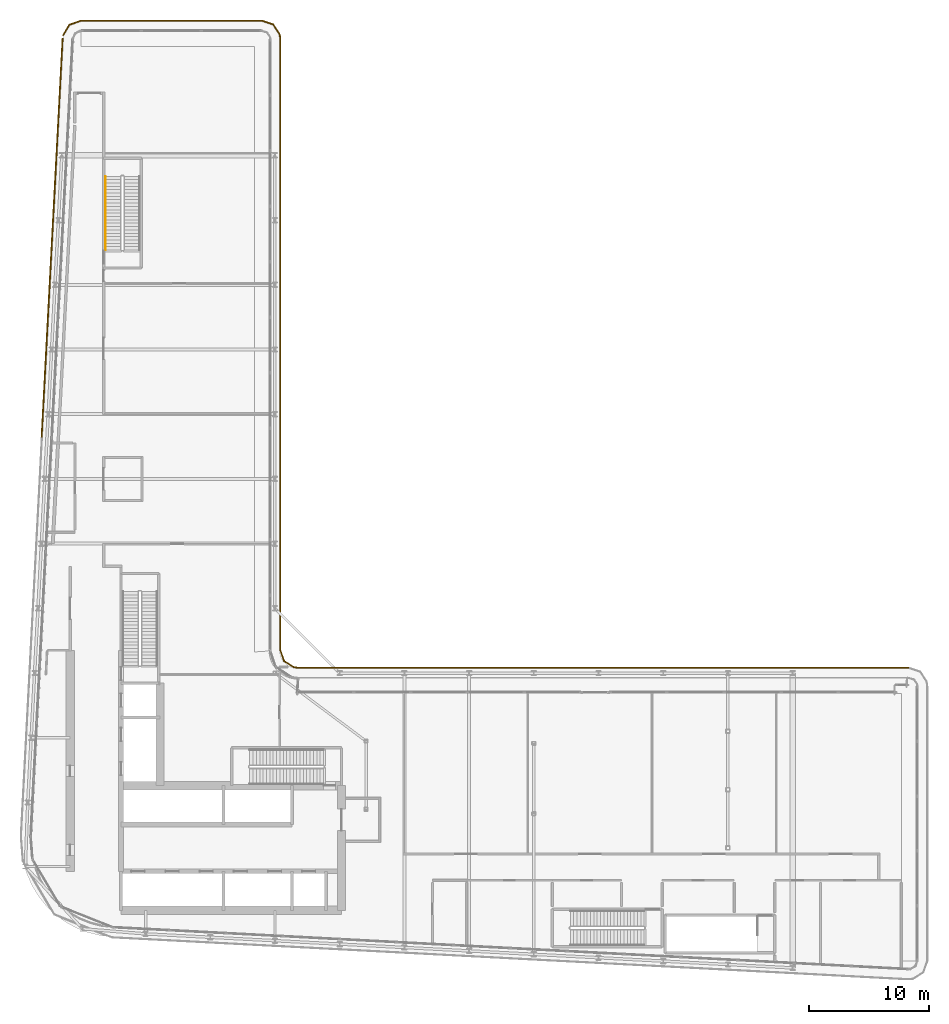
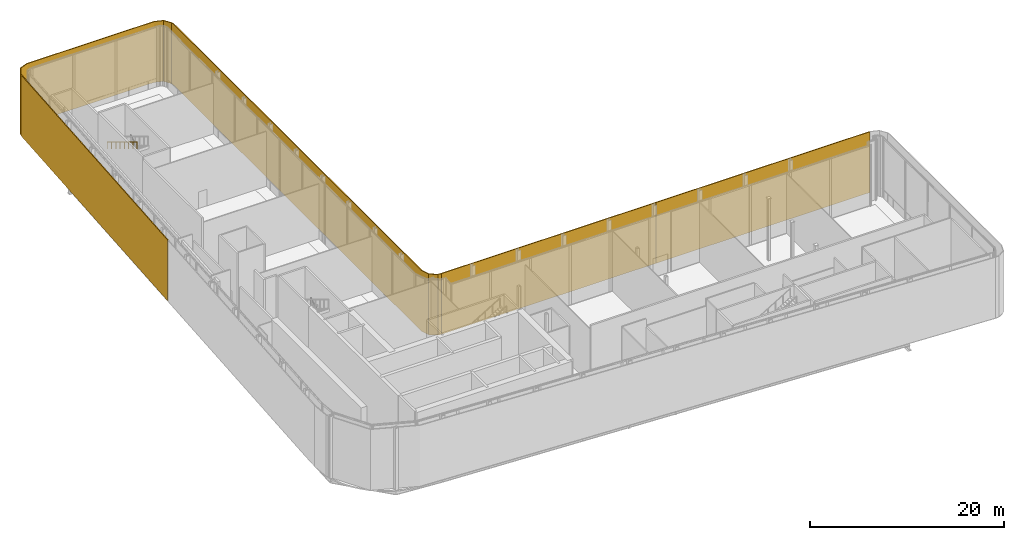
# One storey, part 36 of 38: 4 shading devices, 1 railing.
"""IFC4 building model written with IfcOpenShell, lengths in metres."""

from ifc_helpers import new_model, si_unit, direction, frame, origin, origin_2d, place, context, subcontext, project, spatial, polyline, rectangle, circle, outline, extrude, material, layer, layer_set, type_object, element, save


model = new_model("IFC4")

# Units and contexts
model_context = context("Model", 3, precision=1e-05, world=origin(), true_north=direction((0.0, 1.0)))
body_context = subcontext(model_context, "Body", "Model", "MODEL_VIEW")
ifc_project = project(units=[si_unit("LENGTHUNIT", "METRE"), si_unit("AREAUNIT", "SQUARE_METRE"), si_unit("VOLUMEUNIT", "CUBIC_METRE"), si_unit("PLANEANGLEUNIT", "RADIAN"), si_unit("MASSUNIT", "GRAM", prefix="KILO")], contexts=[model_context])

# Site, building, storey
site_placement = place(None, origin())
site = spatial("IfcSite", under=ifc_project, at=site_placement, CompositionType="ELEMENT")
building_placement = place(site_placement, origin())
building = spatial("IfcBuilding", under=site, at=building_placement, Name="Kheshtan School and Residences Tower", CompositionType="ELEMENT")
storey_placement = place(building_placement, frame((0.0, 0.0, 203.300048828125)))
storey = spatial("IfcBuildingStorey", under=building, at=storey_placement, Name="L48", CompositionType="ELEMENT", Elevation=203.300048828125)

# Shading devices
ifc_material_1 = material(Name="Terracotta baguette, extruded ceramic", Category="masonry")
ifc_layer_1 = layer(ifc_material_1, 0.10009765625)
ifc_layer_set_1 = layer_set([ifc_layer_1], Name="Ledge screen, terracotta baguettes")
shading_device_type_1 = type_object("IfcShadingDeviceType", Name="Ledge screen, terracotta baguettes", PredefinedType="USERDEFINED", material=ifc_layer_set_1)
shading_device_1_placement = place(storey_placement, origin())
element("IfcShadingDevice", 1, at=shading_device_1_placement, inside=storey, type_object=shading_device_type_1, Name="Screen L48 1", ObjectType="BAGUETTE", PredefinedType="USERDEFINED", context=body_context, shape_type="SweptSolid", body=[
    extrude(outline(polyline([(29.949951171875, 98.783935546875), (30.468017578125, 99.656982421875), (31.423095703125, 100.0), (46.5, 100.0), (47.4130859375, 99.68994140625), (47.948974609375, 98.887939453125), (48.0, 98.5), (48.0, 47.5), (48.31005859375, 46.5869140625), (49.112060546875, 46.051025390625), (49.5, 46.0), (49.512939453125, 46.09912109375), (49.14794921875, 46.14697265625), (48.39404296875, 46.65087890625), (48.10009765625, 47.51708984375), (48.10009765625, 98.507080078125), (48.044921875, 98.924072265625), (47.47705078125, 99.77392578125), (46.51708984375, 100.10009765625), (31.406005859375, 100.10009765625), (30.39990234375, 99.739013671875), (29.864013671875, 98.8349609375), (29.949951171875, 98.783935546875)])), origin(), (0.0, 0.0, 1.0), 7.64990234375),
])
shading_device_2_placement = place(storey_placement, frame((28.9990234375, 81.93408203125, 0.0), z_axis=(0.0, 0.0, 1.0), x_axis=(0.052562536748, 0.998617634398, 0.0)))
element("IfcShadingDevice", 2, at=shading_device_2_placement, inside=storey, type_object=shading_device_type_1, Name="Screen L48 7", ObjectType="BAGUETTE", PredefinedType="USERDEFINED", context=body_context, shape_type="SweptSolid", body=[
    extrude(rectangle(XDim=33.341064453125, YDim=0.10009765625, at=origin_2d()), origin(), (0.0, 0.0, 1.0), 7.64990234375),
])
ifc_material_2 = material(Name="Terracotta lattice, extruded ceramic", Category="masonry")
ifc_layer_2 = layer(ifc_material_2, 0.10009765625)
ifc_layer_set_2 = layer_set([ifc_layer_2], Name="Loggia screen, terracotta lattice")
shading_device_type_2 = type_object("IfcShadingDeviceType", Name="Loggia screen, terracotta lattice", PredefinedType="USERDEFINED", material=ifc_layer_set_2)
for number, where, z_axis, x_axis, name in (
    (3, (62.25, 46.050048828125, 0.0), (0.0, 0.0, 1.0), (1.0, 0.0, 0.0), "Screen L48 2"),
    (4, (87.75, 46.050048828125, 0.0), (0.0, 0.0, 1.0), (1.0, 0.0, 0.0), "Screen L48 3"),
):
    element("IfcShadingDevice", number, at=place(storey_placement, frame(where, z_axis=z_axis, x_axis=x_axis)), inside=storey, type_object=shading_device_type_2, Name=name, ObjectType="SCREEN", PredefinedType="USERDEFINED", context=body_context, shape_type="SweptSolid", body=[
        extrude(rectangle(XDim=25.5, YDim=0.10009765625, at=origin_2d()), origin(), (0.0, 0.0, 1.0), 7.64990234375),
    ])

# Railing
ifc_material_3 = material(Name="Stainless steel handrail", Category="steel")
railing_type = type_object("IfcRailingType", Name="Stair handrail 900", PredefinedType="HANDRAIL", material=ifc_material_3)
railing_placement = place(storey_placement, frame((33.449951171875, 87.06005859375, 4.069580078125)))
element("IfcRailing", 5, at=railing_placement, inside=storey, type_object=railing_type, Name="L48 ST3 stair handrail 2", PredefinedType="HANDRAIL", context=body_context, shape_type="SweptSolid", body=[
    extrude(circle(Radius=0.02392578125, at=origin_2d()), frame((0.0, 0.0, 0.8759765625), z_axis=(0.0, -0.855379917629, 0.518001154937), x_axis=(1.0, 0.0, 0.0)), (0.0, 0.0, 1.0), 7.20166015625),
    extrude(circle(Radius=0.02099609375, at=origin_2d()), origin(), (0.0, 0.0, 1.0), 0.851806640625),
    extrude(circle(Radius=0.02099609375, at=origin_2d()), frame((0.0, -0.880126953125, 0.532958984375)), (0.0, 0.0, 1.0), 0.851806640625),
    extrude(circle(Radius=0.02099609375, at=origin_2d()), frame((0.0, -1.760009765625, 1.06591796875)), (0.0, 0.0, 1.0), 0.851806640625),
    extrude(circle(Radius=0.02099609375, at=origin_2d()), frame((0.0, -2.64013671875, 1.598876953125)), (0.0, 0.0, 1.0), 0.851806640625),
    extrude(circle(Radius=0.02099609375, at=origin_2d()), frame((0.0, -3.52001953125, 2.131591796875)), (0.0, 0.0, 1.0), 0.851806640625),
    extrude(circle(Radius=0.02099609375, at=origin_2d()), frame((0.0, -4.400146484375, 2.66455078125)), (0.0, 0.0, 1.0), 0.851806640625),
    extrude(circle(Radius=0.02099609375, at=origin_2d()), frame((0.0, -5.280029296875, 3.197509765625)), (0.0, 0.0, 1.0), 0.851806640625),
    extrude(circle(Radius=0.02099609375, at=origin_2d()), frame((0.0, -6.16015625, 3.73046875)), (0.0, 0.0, 1.0), 0.851806640625),
])

save(model, "model.ifc")
